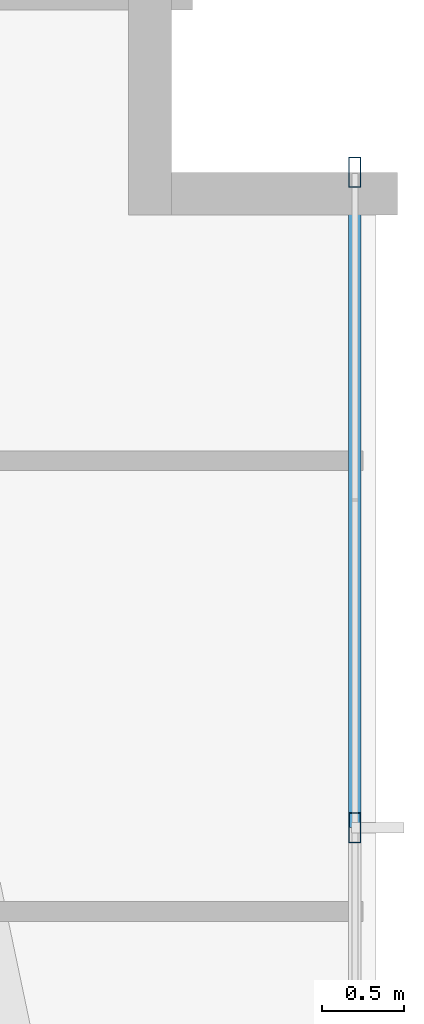
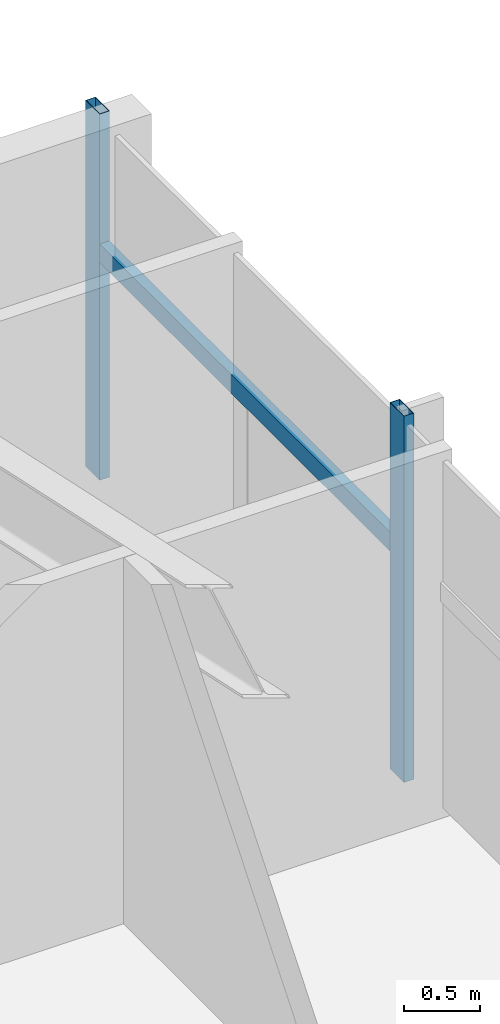
# One storey, part 17 of 25: 3 members, 1 element without a shape of its own.
"""IFC4 building model written with IfcOpenShell, lengths in metres."""

import ifcopenshell
import ifcopenshell.guid

model = None  # the IFC model being written
_history = None  # IfcOwnerHistory: only IFC2X3 demands one
_inside = {}  # id of a spatial element -> (the spatial element, [elements in it])
_under = {}  # id of a project, library or spatial element -> (it, [spatial elements below it])
_declared = {}  # id of a project -> (the project, [libraries it declares])
_typed = {}  # id of a type object -> (the type object, [elements of that type])
_made_of = {}  # id of a material, layer set ... -> (it, [elements and type objects made of it])


def new_model(schema):
    """Start an empty IFC model of exactly this schema.

    Asked for "IFC4X3", IfcOpenShell would pick the latest addendum, in which some entities
    have other attributes; the version numbers below select the first issue.
    IFC2X3 requires an IfcOwnerHistory on every rooted entity: one is made here for all.
    """
    global model, _history
    if schema == "IFC4X3":
        model = ifcopenshell.file(schema_version=(4, 3, 0, 0))
    else:
        model = ifcopenshell.file(schema=schema)
    _inside.clear()
    _under.clear()
    _declared.clear()
    _typed.clear()
    _made_of.clear()
    _history = None
    if model.schema == "IFC2X3":
        org = make("IfcOrganization", Name="unknown")
        user = make(
            "IfcPersonAndOrganization",
            ThePerson=make("IfcPerson", FamilyName="unknown"),
            TheOrganization=org,
        )
        app = make(
            "IfcApplication",
            ApplicationDeveloper=org,
            Version="unknown",
            ApplicationFullName="unknown",
            ApplicationIdentifier="unknown",
        )
        _history = make(
            "IfcOwnerHistory",
            OwningUser=user,
            OwningApplication=app,
            ChangeAction="ADDED",
            CreationDate=0,
        )
    return model


def make(cls, **values):
    """One entity of the class cls with the attributes given. An attribute that is None is left unset."""
    return model.create_entity(
        cls, **{name: value for name, value in values.items() if value is not None}
    )


def rooted(cls, **values):
    """An entity with a GlobalId (a new one), such as an element, a storey or a relation."""
    return make(cls, GlobalId=ifcopenshell.guid.new(), OwnerHistory=_history, **values)


def si_unit(unit_type, name, prefix=None):
    """IfcSIUnit, for example si_unit("LENGTHUNIT", "METRE", prefix="MILLI")."""
    return make("IfcSIUnit", UnitType=unit_type, Prefix=prefix, Name=name)


def assignment(units):
    """IfcUnitAssignment: the units of a project."""
    return None if units is None else make("IfcUnitAssignment", Units=units)


def point(xyz):
    """IfcCartesianPoint."""
    return None if xyz is None else make("IfcCartesianPoint", Coordinates=xyz)


def direction(xyz):
    """IfcDirection."""
    return None if xyz is None else make("IfcDirection", DirectionRatios=xyz)


def frame(location, z_axis=None, x_axis=None):
    """IfcAxis2Placement3D, a coordinate frame: its origin and axes. An axis left out is left unset."""
    return make(
        "IfcAxis2Placement3D",
        Location=point(location),
        Axis=direction(z_axis),
        RefDirection=direction(x_axis),
    )


def frame_2d(location, x_axis=None):
    """IfcAxis2Placement2D, a coordinate frame in the plane: its origin and x axis."""
    return make(
        "IfcAxis2Placement2D", Location=point(location), RefDirection=direction(x_axis)
    )


def origin():
    """The frame at (0, 0, 0) with its axes left unset."""
    return frame((0.0, 0.0, 0.0))


def origin_2d():
    """The frame at (0, 0) in the plane with its x axis left unset."""
    return frame_2d((0.0, 0.0))


def place(relative_to, where):
    """IfcLocalPlacement: puts the frame where relative to a parent placement (None: the world)."""
    return make(
        "IfcLocalPlacement", PlacementRelTo=relative_to, RelativePlacement=where
    )


def context(
    kind, dimensions, precision=None, world=None, true_north=None, identifier=None
):
    """IfcGeometricRepresentationContext, for example the 3D "Model" context."""
    return make(
        "IfcGeometricRepresentationContext",
        ContextIdentifier=identifier,
        ContextType=kind,
        CoordinateSpaceDimension=dimensions,
        Precision=precision,
        WorldCoordinateSystem=world,
        TrueNorth=true_north,
    )


def subcontext(parent, identifier, kind, view, scale=None):
    """IfcGeometricRepresentationSubContext, for example "Body" below "Model"."""
    return make(
        "IfcGeometricRepresentationSubContext",
        ContextIdentifier=identifier,
        ContextType=kind,
        ParentContext=parent,
        TargetScale=scale,
        TargetView=view,
    )


def project(units=None, contexts=None):
    """IfcProject with its units and contexts."""
    return rooted(
        "IfcProject",
        Name="project",
        RepresentationContexts=contexts,
        UnitsInContext=assignment(units),
    )


def spatial(cls, under=None, at=None, **own):
    """A site, building, storey or space (cls), placed at a placement, below another one or the project."""
    s = rooted(cls, ObjectPlacement=at, **own)
    if under is not None:
        _under.setdefault(under.id(), (under, []))[1].append(s)
    return s


def profile(cls, at=None, kind="AREA", **sizes):
    """A parametric profile (cls). Its sizes go by their IFC names, for example OverallWidth=200.0."""
    return make(cls, ProfileType=kind, Position=at, **sizes)


def hollow_rectangle(**sizes):
    """IfcRectangleHollowProfileDef."""
    return profile("IfcRectangleHollowProfileDef", **sizes)


def extrude(swept, where, along, depth):
    """IfcExtrudedAreaSolid: the profile swept, set in the frame where, extruded along a direction by depth."""
    return make(
        "IfcExtrudedAreaSolid",
        SweptArea=swept,
        Position=where,
        ExtrudedDirection=direction(along),
        Depth=depth,
    )


def shape(context_of_items, identifier, shape_type, items):
    """IfcShapeRepresentation: the items that make up one representation, for example the "Body"."""
    return make(
        "IfcShapeRepresentation",
        ContextOfItems=context_of_items,
        RepresentationIdentifier=identifier,
        RepresentationType=shape_type,
        Items=items,
    )


def source(mapping_origin, context_of_items, identifier, shape_type, items):
    """IfcRepresentationMap: a shape defined once, which mapped items show again and again."""
    return make(
        "IfcRepresentationMap",
        MappingOrigin=mapping_origin,
        MappedRepresentation=shape(context_of_items, identifier, shape_type, items),
    )


def transform(
    local_origin,
    x_axis=None,
    y_axis=None,
    z_axis=None,
    scale=None,
    scale2=None,
    scale3=None,
    uniform=True,
):
    """IfcCartesianTransformationOperator3D, or its non-uniform kind. x_axis, y_axis, z_axis: its Axis1, 2, 3."""
    if uniform:
        return make(
            "IfcCartesianTransformationOperator3D",
            Axis1=direction(x_axis),
            Axis2=direction(y_axis),
            LocalOrigin=point(local_origin),
            Scale=scale,
            Axis3=direction(z_axis),
        )
    return make(
        "IfcCartesianTransformationOperator3DnonUniform",
        Axis1=direction(x_axis),
        Axis2=direction(y_axis),
        LocalOrigin=point(local_origin),
        Scale=scale,
        Axis3=direction(z_axis),
        Scale2=scale2,
        Scale3=scale3,
    )


def mapped(mapping_source, mapping_target):
    """IfcMappedItem: shows the shape of a source again, moved by a transform."""
    return make(
        "IfcMappedItem", MappingSource=mapping_source, MappingTarget=mapping_target
    )


def material(Name=None, Category=None):
    """IfcMaterial."""
    return make("IfcMaterial", Name=Name, Category=Category)


def material_profile(
    of_material, cross_section, Name=None, Category=None, Priority=None
):
    """IfcMaterialProfile: a cross section and its material."""
    return make(
        "IfcMaterialProfile",
        Name=Name,
        Material=of_material,
        Profile=cross_section,
        Priority=Priority,
        Category=Category,
    )


def profile_set(profiles, Name=None, composite=None):
    """IfcMaterialProfileSet."""
    return make(
        "IfcMaterialProfileSet",
        Name=Name,
        MaterialProfiles=profiles,
        CompositeProfile=composite,
    )


def made_of(thing, what):
    """Note that an element or type object is made of a material, layer set ...; save() writes the relation."""
    if what is not None:
        _made_of.setdefault(what.id(), (what, []))[1].append(thing)
    return thing


def type_object(cls, material=None, **own):
    """A type object (cls), such as IfcWallType, which elements share."""
    return made_of(rooted(cls, **own), material)


def type_shapes(of_type, sources):
    """Give a type object the sources (RepresentationMaps) that its elements show as mapped items."""
    of_type.RepresentationMaps = sources


def element(
    cls,
    number,
    at=None,
    inside=None,
    cuts=None,
    type_object=None,
    material=None,
    context=None,
    identifier="Body",
    shape_type=None,
    held_by="IfcProductDefinitionShape",
    body=None,
    shapes=None,
    **own,
):
    """One element of the class cls, such as IfcWall. Its Tag is "e" and its number.

    at: its placement. inside: the storey or other place that contains it. cuts: it is an
    opening in that element (IfcRelVoidsElement). A single representation is given by context,
    identifier, shape_type and body (its items); several are given by shapes. held_by: the class
    of the entity that holds the representations. save() writes the other relations.
    """
    e = rooted(cls, Tag="e%d" % number, ObjectPlacement=at, **own)
    if body is not None:
        shapes = [shape(context, identifier, shape_type, body)]
    if shapes is not None:
        e.Representation = make(held_by, Representations=shapes)
    if inside is not None:
        _inside.setdefault(inside.id(), (inside, []))[1].append(e)
    if cuts is not None:
        rooted(
            "IfcRelVoidsElement", RelatingBuildingElement=cuts, RelatedOpeningElement=e
        )
    if type_object is not None:
        _typed.setdefault(type_object.id(), (type_object, []))[1].append(e)
    return made_of(e, material)


def aggregate(whole, parts):
    """IfcRelAggregates: a whole, such as a stair, and the parts it consists of."""
    return rooted("IfcRelAggregates", RelatingObject=whole, RelatedObjects=parts)


def save(model, path):
    """Write the relations noted so far, then the file.

    IfcRelAggregates (storeys below a building ...), IfcRelContainedInSpatialStructure (elements
    in a storey), IfcRelDefinesByType, IfcRelAssociatesMaterial and IfcRelDeclares: one each for
    every whole, place, type object, material and project.
    """
    for whole, parts in _under.values():
        aggregate(whole, parts)
    for where, things in _inside.values():
        rooted(
            "IfcRelContainedInSpatialStructure",
            RelatedElements=things,
            RelatingStructure=where,
        )
    for kind, things in _typed.values():
        rooted("IfcRelDefinesByType", RelatedObjects=things, RelatingType=kind)
    for what, things in _made_of.values():
        rooted("IfcRelAssociatesMaterial", RelatedObjects=things, RelatingMaterial=what)
    for by, libraries in _declared.values():
        rooted("IfcRelDeclares", RelatingContext=by, RelatedDefinitions=libraries)
    model.write(path)


model = new_model("IFC4")

# Units and contexts
model_context = context("Model", 3, precision=1e-05, world=origin(), true_north=direction((0.0, 1.0)))
body_context = subcontext(model_context, "Body", "Model", "MODEL_VIEW")
ifc_project = project(units=[si_unit("LENGTHUNIT", "METRE"), si_unit("AREAUNIT", "SQUARE_METRE"), si_unit("VOLUMEUNIT", "CUBIC_METRE"), si_unit("PLANEANGLEUNIT", "RADIAN"), si_unit("MASSUNIT", "GRAM", prefix="KILO")], contexts=[model_context])

# Site, building, storey
site_placement = place(None, origin())
site = spatial("IfcSite", under=ifc_project, at=site_placement, CompositionType="ELEMENT")
building_placement = place(site_placement, origin())
building = spatial("IfcBuilding", under=site, at=building_placement, Name="Astriad Promenade Condominiums", CompositionType="ELEMENT")
storey_placement = place(building_placement, frame((0.0, 0.0, 51.800048828125)))
storey = spatial("IfcBuildingStorey", under=building, at=storey_placement, Name="L14", CompositionType="ELEMENT", Elevation=51.800048828125)

# Curtain wall, members
ifc_material_1 = material(Name="Anodised aluminium Black Dark Glass Unitised", Category="aluminium")
curtain_wall_type = type_object("IfcCurtainWallType", Name="CW-B1-DARK", PredefinedType="USERDEFINED", material=ifc_material_1)
curtain_wall_placement = place(storey_placement, origin())
curtain_wall = element("IfcCurtainWall", 1, at=curtain_wall_placement, inside=storey, type_object=curtain_wall_type, Name="CW-L14-E", ObjectType="UNITISED_CURTAIN_WALL", PredefinedType="USERDEFINED")
ifc_material_2 = material(Name="Anodised aluminium 6063-T6 Black", Category="aluminium")
ifc_material_profile_1 = material_profile(ifc_material_2, hollow_rectangle(XDim=0.074951171875, YDim=0.18505859375, WallThickness=0.00439453125, at=origin_2d()), Name="ALU-MUL-75X185")
ifc_profile_set_1 = profile_set([ifc_material_profile_1], Name="Anodised aluminium 6063-T6 Black")
member_type_1 = type_object("IfcMemberType", Name="MUL-ALU-MUL-75X185", PredefinedType="MULLION", material=ifc_profile_set_1)
shared_shape_1 = source(origin(), body_context, "Body", "SweptSolid", [
    extrude(hollow_rectangle(XDim=0.074951171875, YDim=0.18505859375, WallThickness=0.00439453125, at=origin_2d()), origin(), (0.0, 0.0, 1.0), 2.93994140625),
])
type_shapes(member_type_1, [shared_shape_1])
member_1_placement = place(storey_placement, frame((59.669921875, 25.199951171875, 0.0), z_axis=(0.0, 0.0, 1.0), x_axis=(1.0, 0.0, 0.0)))
member_1 = element("IfcMember", 2, at=member_1_placement, type_object=member_type_1, Name="CW-L14-E-MUL-00", PredefinedType="MULLION", context=body_context, shape_type="MappedRepresentation", body=[
    mapped(shared_shape_1, transform((0.0, 0.0, 0.0), scale=1.0)),
])
member_2_placement = place(storey_placement, frame((59.669921875, 21.199951171875, 0.0), z_axis=(0.0, 0.0, 1.0), x_axis=(1.0, 0.0, 0.0)))
member_2 = element("IfcMember", 3, at=member_2_placement, type_object=member_type_1, Name="CW-L14-E-MUL-01", PredefinedType="MULLION", context=body_context, shape_type="MappedRepresentation", body=[
    mapped(shared_shape_1, transform((0.0, 0.0, 0.0), scale=1.0)),
])
ifc_material_profile_2 = material_profile(ifc_material_2, hollow_rectangle(XDim=0.074951171875, YDim=0.14990234375, WallThickness=0.004150390625, at=origin_2d()), Name="ALU-TRN-75X150")
ifc_profile_set_2 = profile_set([ifc_material_profile_2], Name="Anodised aluminium 6063-T6 Black")
member_type_2 = type_object("IfcMemberType", Name="TRN-ALU-TRN-75X150", PredefinedType="USERDEFINED", material=ifc_profile_set_2)
shared_shape_2 = source(origin(), body_context, "Body", "SweptSolid", [
    extrude(hollow_rectangle(XDim=0.074951171875, YDim=0.14990234375, WallThickness=0.004150390625, at=origin_2d()), origin(), (0.0, 0.0, 1.0), 4.0),
])
type_shapes(member_type_2, [shared_shape_2])
member_3_placement = place(storey_placement, frame((59.669921875, 25.199951171875, 1.82275390625), z_axis=(0.0, -1.0, 0.0), x_axis=(1.0, 0.0, 0.0)))
member_3 = element("IfcMember", 4, at=member_3_placement, type_object=member_type_2, Name="CW-L14-E-TRN-00-0", ObjectType="TRANSOM", PredefinedType="USERDEFINED", context=body_context, shape_type="MappedRepresentation", body=[
    mapped(shared_shape_2, transform((0.0, 0.0, 0.0), scale=1.0)),
])
aggregate(curtain_wall, [member_1, member_2, member_3])

save(model, "model.ifc")
